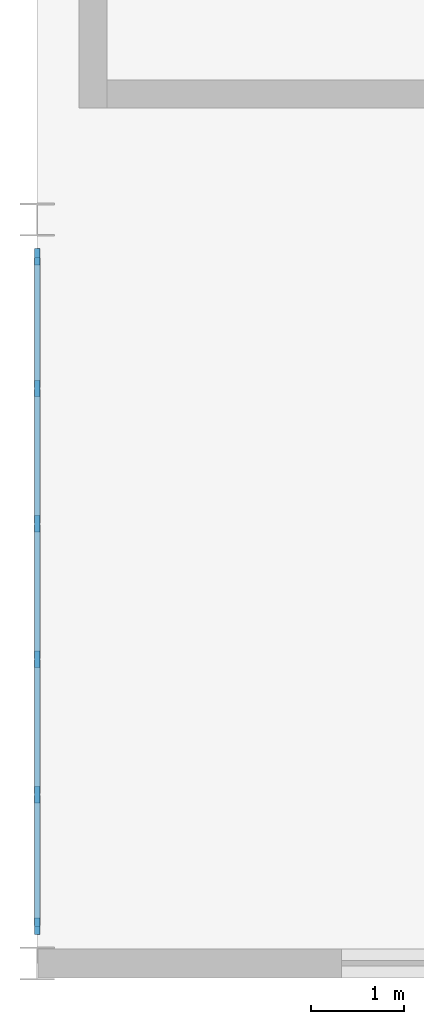
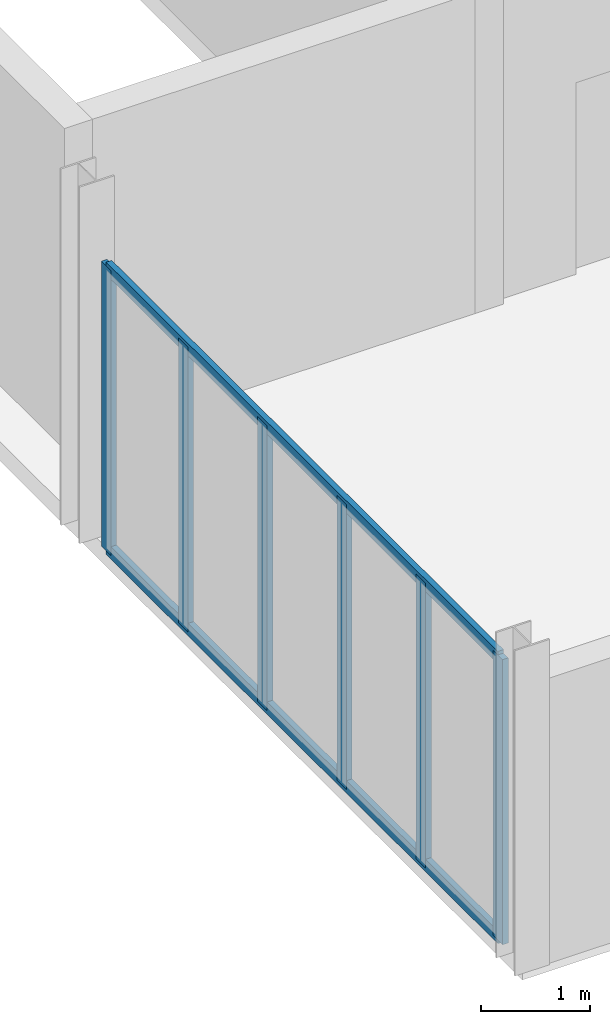
# One storey, part 2 of 7: 8 members, 1 element without a shape of its own.
"""IFC4 building model written with IfcOpenShell, lengths in metres."""

import ifcopenshell
import ifcopenshell.guid

model = None  # the IFC model being written
_history = None  # IfcOwnerHistory: only IFC2X3 demands one
_inside = {}  # id of a spatial element -> (the spatial element, [elements in it])
_under = {}  # id of a project, library or spatial element -> (it, [spatial elements below it])
_declared = {}  # id of a project -> (the project, [libraries it declares])
_typed = {}  # id of a type object -> (the type object, [elements of that type])
_made_of = {}  # id of a material, layer set ... -> (it, [elements and type objects made of it])


def new_model(schema):
    """Start an empty IFC model of exactly this schema.

    Asked for "IFC4X3", IfcOpenShell would pick the latest addendum, in which some entities
    have other attributes; the version numbers below select the first issue.
    IFC2X3 requires an IfcOwnerHistory on every rooted entity: one is made here for all.
    """
    global model, _history
    if schema == "IFC4X3":
        model = ifcopenshell.file(schema_version=(4, 3, 0, 0))
    else:
        model = ifcopenshell.file(schema=schema)
    _inside.clear()
    _under.clear()
    _declared.clear()
    _typed.clear()
    _made_of.clear()
    _history = None
    if model.schema == "IFC2X3":
        org = make("IfcOrganization", Name="unknown")
        user = make(
            "IfcPersonAndOrganization",
            ThePerson=make("IfcPerson", FamilyName="unknown"),
            TheOrganization=org,
        )
        app = make(
            "IfcApplication",
            ApplicationDeveloper=org,
            Version="unknown",
            ApplicationFullName="unknown",
            ApplicationIdentifier="unknown",
        )
        _history = make(
            "IfcOwnerHistory",
            OwningUser=user,
            OwningApplication=app,
            ChangeAction="ADDED",
            CreationDate=0,
        )
    return model


def make(cls, **values):
    """One entity of the class cls with the attributes given. An attribute that is None is left unset."""
    return model.create_entity(
        cls, **{name: value for name, value in values.items() if value is not None}
    )


def rooted(cls, **values):
    """An entity with a GlobalId (a new one), such as an element, a storey or a relation."""
    return make(cls, GlobalId=ifcopenshell.guid.new(), OwnerHistory=_history, **values)


def si_unit(unit_type, name, prefix=None):
    """IfcSIUnit, for example si_unit("LENGTHUNIT", "METRE", prefix="MILLI")."""
    return make("IfcSIUnit", UnitType=unit_type, Prefix=prefix, Name=name)


def assignment(units):
    """IfcUnitAssignment: the units of a project."""
    return None if units is None else make("IfcUnitAssignment", Units=units)


def point(xyz):
    """IfcCartesianPoint."""
    return None if xyz is None else make("IfcCartesianPoint", Coordinates=xyz)


def direction(xyz):
    """IfcDirection."""
    return None if xyz is None else make("IfcDirection", DirectionRatios=xyz)


def frame(location, z_axis=None, x_axis=None):
    """IfcAxis2Placement3D, a coordinate frame: its origin and axes. An axis left out is left unset."""
    return make(
        "IfcAxis2Placement3D",
        Location=point(location),
        Axis=direction(z_axis),
        RefDirection=direction(x_axis),
    )


def frame_2d(location, x_axis=None):
    """IfcAxis2Placement2D, a coordinate frame in the plane: its origin and x axis."""
    return make(
        "IfcAxis2Placement2D", Location=point(location), RefDirection=direction(x_axis)
    )


def origin():
    """The frame at (0, 0, 0) with its axes left unset."""
    return frame((0.0, 0.0, 0.0))


def origin_2d():
    """The frame at (0, 0) in the plane with its x axis left unset."""
    return frame_2d((0.0, 0.0))


def place(relative_to, where):
    """IfcLocalPlacement: puts the frame where relative to a parent placement (None: the world)."""
    return make(
        "IfcLocalPlacement", PlacementRelTo=relative_to, RelativePlacement=where
    )


def context(
    kind, dimensions, precision=None, world=None, true_north=None, identifier=None
):
    """IfcGeometricRepresentationContext, for example the 3D "Model" context."""
    return make(
        "IfcGeometricRepresentationContext",
        ContextIdentifier=identifier,
        ContextType=kind,
        CoordinateSpaceDimension=dimensions,
        Precision=precision,
        WorldCoordinateSystem=world,
        TrueNorth=true_north,
    )


def subcontext(parent, identifier, kind, view, scale=None):
    """IfcGeometricRepresentationSubContext, for example "Body" below "Model"."""
    return make(
        "IfcGeometricRepresentationSubContext",
        ContextIdentifier=identifier,
        ContextType=kind,
        ParentContext=parent,
        TargetScale=scale,
        TargetView=view,
    )


def project(units=None, contexts=None):
    """IfcProject with its units and contexts."""
    return rooted(
        "IfcProject",
        Name="project",
        RepresentationContexts=contexts,
        UnitsInContext=assignment(units),
    )


def spatial(cls, under=None, at=None, **own):
    """A site, building, storey or space (cls), placed at a placement, below another one or the project."""
    s = rooted(cls, ObjectPlacement=at, **own)
    if under is not None:
        _under.setdefault(under.id(), (under, []))[1].append(s)
    return s


def profile(cls, at=None, kind="AREA", **sizes):
    """A parametric profile (cls). Its sizes go by their IFC names, for example OverallWidth=200.0."""
    return make(cls, ProfileType=kind, Position=at, **sizes)


def rectangle(**sizes):
    """IfcRectangleProfileDef."""
    return profile("IfcRectangleProfileDef", **sizes)


def extrude(swept, where, along, depth):
    """IfcExtrudedAreaSolid: the profile swept, set in the frame where, extruded along a direction by depth."""
    return make(
        "IfcExtrudedAreaSolid",
        SweptArea=swept,
        Position=where,
        ExtrudedDirection=direction(along),
        Depth=depth,
    )


def shape(context_of_items, identifier, shape_type, items):
    """IfcShapeRepresentation: the items that make up one representation, for example the "Body"."""
    return make(
        "IfcShapeRepresentation",
        ContextOfItems=context_of_items,
        RepresentationIdentifier=identifier,
        RepresentationType=shape_type,
        Items=items,
    )


def material(Name=None, Category=None):
    """IfcMaterial."""
    return make("IfcMaterial", Name=Name, Category=Category)


def material_profile(
    of_material, cross_section, Name=None, Category=None, Priority=None
):
    """IfcMaterialProfile: a cross section and its material."""
    return make(
        "IfcMaterialProfile",
        Name=Name,
        Material=of_material,
        Profile=cross_section,
        Priority=Priority,
        Category=Category,
    )


def profile_set(profiles, Name=None, composite=None):
    """IfcMaterialProfileSet."""
    return make(
        "IfcMaterialProfileSet",
        Name=Name,
        MaterialProfiles=profiles,
        CompositeProfile=composite,
    )


def made_of(thing, what):
    """Note that an element or type object is made of a material, layer set ...; save() writes the relation."""
    if what is not None:
        _made_of.setdefault(what.id(), (what, []))[1].append(thing)
    return thing


def type_object(cls, material=None, **own):
    """A type object (cls), such as IfcWallType, which elements share."""
    return made_of(rooted(cls, **own), material)


def element(
    cls,
    number,
    at=None,
    inside=None,
    cuts=None,
    type_object=None,
    material=None,
    context=None,
    identifier="Body",
    shape_type=None,
    held_by="IfcProductDefinitionShape",
    body=None,
    shapes=None,
    **own,
):
    """One element of the class cls, such as IfcWall. Its Tag is "e" and its number.

    at: its placement. inside: the storey or other place that contains it. cuts: it is an
    opening in that element (IfcRelVoidsElement). A single representation is given by context,
    identifier, shape_type and body (its items); several are given by shapes. held_by: the class
    of the entity that holds the representations. save() writes the other relations.
    """
    e = rooted(cls, Tag="e%d" % number, ObjectPlacement=at, **own)
    if body is not None:
        shapes = [shape(context, identifier, shape_type, body)]
    if shapes is not None:
        e.Representation = make(held_by, Representations=shapes)
    if inside is not None:
        _inside.setdefault(inside.id(), (inside, []))[1].append(e)
    if cuts is not None:
        rooted(
            "IfcRelVoidsElement", RelatingBuildingElement=cuts, RelatedOpeningElement=e
        )
    if type_object is not None:
        _typed.setdefault(type_object.id(), (type_object, []))[1].append(e)
    return made_of(e, material)


def aggregate(whole, parts):
    """IfcRelAggregates: a whole, such as a stair, and the parts it consists of."""
    return rooted("IfcRelAggregates", RelatingObject=whole, RelatedObjects=parts)


def save(model, path):
    """Write the relations noted so far, then the file.

    IfcRelAggregates (storeys below a building ...), IfcRelContainedInSpatialStructure (elements
    in a storey), IfcRelDefinesByType, IfcRelAssociatesMaterial and IfcRelDeclares: one each for
    every whole, place, type object, material and project.
    """
    for whole, parts in _under.values():
        aggregate(whole, parts)
    for where, things in _inside.values():
        rooted(
            "IfcRelContainedInSpatialStructure",
            RelatedElements=things,
            RelatingStructure=where,
        )
    for kind, things in _typed.values():
        rooted("IfcRelDefinesByType", RelatedObjects=things, RelatingType=kind)
    for what, things in _made_of.values():
        rooted("IfcRelAssociatesMaterial", RelatedObjects=things, RelatingMaterial=what)
    for by, libraries in _declared.values():
        rooted("IfcRelDeclares", RelatingContext=by, RelatedDefinitions=libraries)
    model.write(path)


model = new_model("IFC4")

# Units and contexts
model_context = context("Model", 3, precision=1e-05, world=origin(), true_north=direction((0.0, 1.0)))
body_context = subcontext(model_context, "Body", "Model", "MODEL_VIEW")
ifc_project = project(units=[si_unit("LENGTHUNIT", "METRE"), si_unit("AREAUNIT", "SQUARE_METRE"), si_unit("VOLUMEUNIT", "CUBIC_METRE"), si_unit("PLANEANGLEUNIT", "RADIAN"), si_unit("MASSUNIT", "GRAM", prefix="KILO")], contexts=[model_context])

# Site, building, storey
site_placement = place(None, origin())
site = spatial("IfcSite", under=ifc_project, at=site_placement, CompositionType="ELEMENT")
building_placement = place(site_placement, origin())
building = spatial("IfcBuilding", under=site, at=building_placement, Name="Drelvath Fold Interchange", CompositionType="ELEMENT")
storey_placement = place(building_placement, frame((0.0, 0.0, 24.0)))
storey = spatial("IfcBuildingStorey", under=building, at=storey_placement, Name="L05", CompositionType="ELEMENT", Elevation=24.0)

# Curtain wall, members
ifc_material = material(Name="Anodized Aluminium 6063-T6", Category="aluminium")
curtain_wall_type = type_object("IfcCurtainWallType", Name="CW-OPS-UPP", PredefinedType="USERDEFINED", material=ifc_material)
curtain_wall_placement = place(storey_placement, origin())
curtain_wall = element("IfcCurtainWall", 1, at=curtain_wall_placement, inside=storey, type_object=curtain_wall_type, Name="Curtain wall CW-V5-L05-W3", ObjectType="UNITISED CURTAIN WALL", PredefinedType="USERDEFINED")
ifc_material_profile_1 = material_profile(ifc_material, rectangle(XDim=0.06005859375, YDim=0.175048828125, at=origin_2d()), Name="AL-M 60x175")
ifc_profile_set_1 = profile_set([ifc_material_profile_1], Name="Anodized Aluminium 6063-T6")
member_type_1 = type_object("IfcMemberType", Name="ML-175", PredefinedType="MULLION", material=ifc_profile_set_1)
member_1_placement = place(storey_placement, frame((4.0, 3.39990234375, 0.0), z_axis=(0.0, 0.0, 1.0), x_axis=(1.0, 0.0, 0.0)))
member_1 = element("IfcMember", 2, at=member_1_placement, type_object=member_type_1, Name="CW-V5-L05-W3 mullion 0", PredefinedType="MULLION", context=body_context, shape_type="SweptSolid", body=[
    extrude(rectangle(XDim=0.06005859375, YDim=0.175048828125, at=origin_2d()), origin(), (0.0, 0.0, 1.0), 3.199951171875),
])
member_2_placement = place(storey_placement, frame((4.0, 4.81591796875, 0.0), z_axis=(0.0, 0.0, 1.0), x_axis=(1.0, 0.0, 0.0)))
member_2 = element("IfcMember", 3, at=member_2_placement, type_object=member_type_1, Name="CW-V5-L05-W3 mullion 1", PredefinedType="MULLION", context=body_context, shape_type="SweptSolid", body=[
    extrude(rectangle(XDim=0.06005859375, YDim=0.175048828125, at=origin_2d()), origin(), (0.0, 0.0, 1.0), 3.199951171875),
])
member_3_placement = place(storey_placement, frame((4.0, 6.27197265625, 0.0), z_axis=(0.0, 0.0, 1.0), x_axis=(1.0, 0.0, 0.0)))
member_3 = element("IfcMember", 4, at=member_3_placement, type_object=member_type_1, Name="CW-V5-L05-W3 mullion 2", PredefinedType="MULLION", context=body_context, shape_type="SweptSolid", body=[
    extrude(rectangle(XDim=0.06005859375, YDim=0.175048828125, at=origin_2d()), origin(), (0.0, 0.0, 1.0), 3.199951171875),
])
member_4_placement = place(storey_placement, frame((4.0, 7.72802734375, 0.0), z_axis=(0.0, 0.0, 1.0), x_axis=(1.0, 0.0, 0.0)))
member_4 = element("IfcMember", 5, at=member_4_placement, type_object=member_type_1, Name="CW-V5-L05-W3 mullion 3", PredefinedType="MULLION", context=body_context, shape_type="SweptSolid", body=[
    extrude(rectangle(XDim=0.06005859375, YDim=0.175048828125, at=origin_2d()), origin(), (0.0, 0.0, 1.0), 3.199951171875),
])
member_5_placement = place(storey_placement, frame((4.0, 9.18408203125, 0.0), z_axis=(0.0, 0.0, 1.0), x_axis=(1.0, 0.0, 0.0)))
member_5 = element("IfcMember", 6, at=member_5_placement, type_object=member_type_1, Name="CW-V5-L05-W3 mullion 4", PredefinedType="MULLION", context=body_context, shape_type="SweptSolid", body=[
    extrude(rectangle(XDim=0.06005859375, YDim=0.175048828125, at=origin_2d()), origin(), (0.0, 0.0, 1.0), 3.199951171875),
])
member_6_placement = place(storey_placement, frame((4.0, 10.60009765625, 0.0), z_axis=(0.0, 0.0, 1.0), x_axis=(1.0, 0.0, 0.0)))
member_6 = element("IfcMember", 7, at=member_6_placement, type_object=member_type_1, Name="CW-V5-L05-W3 mullion 5", PredefinedType="MULLION", context=body_context, shape_type="SweptSolid", body=[
    extrude(rectangle(XDim=0.06005859375, YDim=0.175048828125, at=origin_2d()), origin(), (0.0, 0.0, 1.0), 3.199951171875),
])
ifc_material_profile_2 = material_profile(ifc_material, rectangle(XDim=0.06005859375, YDim=0.139892578125, at=origin_2d()), Name="AL-T 60x140")
ifc_profile_set_2 = profile_set([ifc_material_profile_2], Name="Anodized Aluminium 6063-T6")
member_type_2 = type_object("IfcMemberType", Name="TR-140", PredefinedType="USERDEFINED", material=ifc_profile_set_2)
member_7_placement = place(storey_placement, frame((4.0, 3.39990234375, 0.030029296875), z_axis=(0.0, 1.0, 0.0), x_axis=(-1.0, 0.0, 0.0)))
member_7 = element("IfcMember", 8, at=member_7_placement, type_object=member_type_2, Name="CW-V5-L05-W3 transom 0", ObjectType="TRANSOM", PredefinedType="USERDEFINED", context=body_context, shape_type="SweptSolid", body=[
    extrude(rectangle(XDim=0.06005859375, YDim=0.139892578125, at=origin_2d()), origin(), (0.0, 0.0, 1.0), 7.2001953125),
])
member_8_placement = place(storey_placement, frame((4.0, 3.39990234375, 3.169921875), z_axis=(0.0, 1.0, 0.0), x_axis=(-1.0, 0.0, 0.0)))
member_8 = element("IfcMember", 9, at=member_8_placement, type_object=member_type_2, Name="CW-V5-L05-W3 transom 1", ObjectType="TRANSOM", PredefinedType="USERDEFINED", context=body_context, shape_type="SweptSolid", body=[
    extrude(rectangle(XDim=0.06005859375, YDim=0.139892578125, at=origin_2d()), origin(), (0.0, 0.0, 1.0), 7.2001953125),
])
aggregate(curtain_wall, [member_1, member_2, member_3, member_4, member_5, member_6, member_7, member_8])

save(model, "model.ifc")
